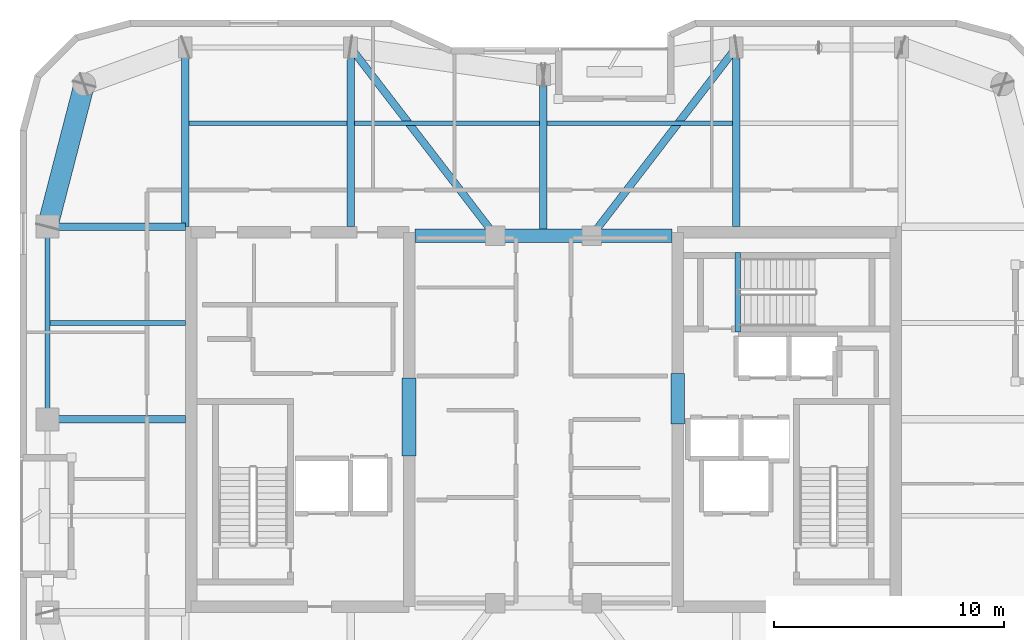
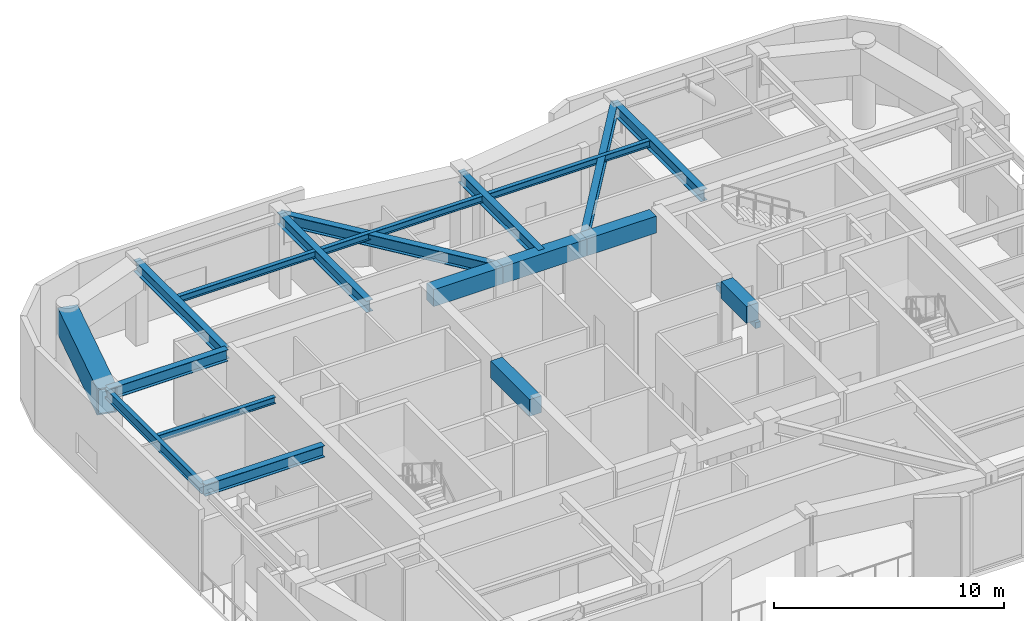
# One storey, part 3 of 14: 20 beams.
"""IFC4 building model written with IfcOpenShell, lengths in metres."""

import ifcopenshell
import ifcopenshell.guid

model = None  # the IFC model being written
_history = None  # IfcOwnerHistory: only IFC2X3 demands one
_inside = {}  # id of a spatial element -> (the spatial element, [elements in it])
_under = {}  # id of a project, library or spatial element -> (it, [spatial elements below it])
_declared = {}  # id of a project -> (the project, [libraries it declares])
_typed = {}  # id of a type object -> (the type object, [elements of that type])
_made_of = {}  # id of a material, layer set ... -> (it, [elements and type objects made of it])


def new_model(schema):
    """Start an empty IFC model of exactly this schema.

    Asked for "IFC4X3", IfcOpenShell would pick the latest addendum, in which some entities
    have other attributes; the version numbers below select the first issue.
    IFC2X3 requires an IfcOwnerHistory on every rooted entity: one is made here for all.
    """
    global model, _history
    if schema == "IFC4X3":
        model = ifcopenshell.file(schema_version=(4, 3, 0, 0))
    else:
        model = ifcopenshell.file(schema=schema)
    _inside.clear()
    _under.clear()
    _declared.clear()
    _typed.clear()
    _made_of.clear()
    _history = None
    if model.schema == "IFC2X3":
        org = make("IfcOrganization", Name="unknown")
        user = make(
            "IfcPersonAndOrganization",
            ThePerson=make("IfcPerson", FamilyName="unknown"),
            TheOrganization=org,
        )
        app = make(
            "IfcApplication",
            ApplicationDeveloper=org,
            Version="unknown",
            ApplicationFullName="unknown",
            ApplicationIdentifier="unknown",
        )
        _history = make(
            "IfcOwnerHistory",
            OwningUser=user,
            OwningApplication=app,
            ChangeAction="ADDED",
            CreationDate=0,
        )
    return model


def make(cls, **values):
    """One entity of the class cls with the attributes given. An attribute that is None is left unset."""
    return model.create_entity(
        cls, **{name: value for name, value in values.items() if value is not None}
    )


def rooted(cls, **values):
    """An entity with a GlobalId (a new one), such as an element, a storey or a relation."""
    return make(cls, GlobalId=ifcopenshell.guid.new(), OwnerHistory=_history, **values)


def si_unit(unit_type, name, prefix=None):
    """IfcSIUnit, for example si_unit("LENGTHUNIT", "METRE", prefix="MILLI")."""
    return make("IfcSIUnit", UnitType=unit_type, Prefix=prefix, Name=name)


def assignment(units):
    """IfcUnitAssignment: the units of a project."""
    return None if units is None else make("IfcUnitAssignment", Units=units)


def point(xyz):
    """IfcCartesianPoint."""
    return None if xyz is None else make("IfcCartesianPoint", Coordinates=xyz)


def direction(xyz):
    """IfcDirection."""
    return None if xyz is None else make("IfcDirection", DirectionRatios=xyz)


def frame(location, z_axis=None, x_axis=None):
    """IfcAxis2Placement3D, a coordinate frame: its origin and axes. An axis left out is left unset."""
    return make(
        "IfcAxis2Placement3D",
        Location=point(location),
        Axis=direction(z_axis),
        RefDirection=direction(x_axis),
    )


def frame_2d(location, x_axis=None):
    """IfcAxis2Placement2D, a coordinate frame in the plane: its origin and x axis."""
    return make(
        "IfcAxis2Placement2D", Location=point(location), RefDirection=direction(x_axis)
    )


def origin():
    """The frame at (0, 0, 0) with its axes left unset."""
    return frame((0.0, 0.0, 0.0))


def origin_2d():
    """The frame at (0, 0) in the plane with its x axis left unset."""
    return frame_2d((0.0, 0.0))


def place(relative_to, where):
    """IfcLocalPlacement: puts the frame where relative to a parent placement (None: the world)."""
    return make(
        "IfcLocalPlacement", PlacementRelTo=relative_to, RelativePlacement=where
    )


def context(
    kind, dimensions, precision=None, world=None, true_north=None, identifier=None
):
    """IfcGeometricRepresentationContext, for example the 3D "Model" context."""
    return make(
        "IfcGeometricRepresentationContext",
        ContextIdentifier=identifier,
        ContextType=kind,
        CoordinateSpaceDimension=dimensions,
        Precision=precision,
        WorldCoordinateSystem=world,
        TrueNorth=true_north,
    )


def subcontext(parent, identifier, kind, view, scale=None):
    """IfcGeometricRepresentationSubContext, for example "Body" below "Model"."""
    return make(
        "IfcGeometricRepresentationSubContext",
        ContextIdentifier=identifier,
        ContextType=kind,
        ParentContext=parent,
        TargetScale=scale,
        TargetView=view,
    )


def project(units=None, contexts=None):
    """IfcProject with its units and contexts."""
    return rooted(
        "IfcProject",
        Name="project",
        RepresentationContexts=contexts,
        UnitsInContext=assignment(units),
    )


def spatial(cls, under=None, at=None, **own):
    """A site, building, storey or space (cls), placed at a placement, below another one or the project."""
    s = rooted(cls, ObjectPlacement=at, **own)
    if under is not None:
        _under.setdefault(under.id(), (under, []))[1].append(s)
    return s


def profile(cls, at=None, kind="AREA", **sizes):
    """A parametric profile (cls). Its sizes go by their IFC names, for example OverallWidth=200.0."""
    return make(cls, ProfileType=kind, Position=at, **sizes)


def rectangle(**sizes):
    """IfcRectangleProfileDef."""
    return profile("IfcRectangleProfileDef", **sizes)


def hollow_rectangle(**sizes):
    """IfcRectangleHollowProfileDef."""
    return profile("IfcRectangleHollowProfileDef", **sizes)


def i_section(**sizes):
    """IfcIShapeProfileDef."""
    return profile("IfcIShapeProfileDef", **sizes)


def extrude(swept, where, along, depth):
    """IfcExtrudedAreaSolid: the profile swept, set in the frame where, extruded along a direction by depth."""
    return make(
        "IfcExtrudedAreaSolid",
        SweptArea=swept,
        Position=where,
        ExtrudedDirection=direction(along),
        Depth=depth,
    )


def shape(context_of_items, identifier, shape_type, items):
    """IfcShapeRepresentation: the items that make up one representation, for example the "Body"."""
    return make(
        "IfcShapeRepresentation",
        ContextOfItems=context_of_items,
        RepresentationIdentifier=identifier,
        RepresentationType=shape_type,
        Items=items,
    )


def material(Name=None, Category=None):
    """IfcMaterial."""
    return make("IfcMaterial", Name=Name, Category=Category)


def material_profile(
    of_material, cross_section, Name=None, Category=None, Priority=None
):
    """IfcMaterialProfile: a cross section and its material."""
    return make(
        "IfcMaterialProfile",
        Name=Name,
        Material=of_material,
        Profile=cross_section,
        Priority=Priority,
        Category=Category,
    )


def profile_set(profiles, Name=None, composite=None):
    """IfcMaterialProfileSet."""
    return make(
        "IfcMaterialProfileSet",
        Name=Name,
        MaterialProfiles=profiles,
        CompositeProfile=composite,
    )


def made_of(thing, what):
    """Note that an element or type object is made of a material, layer set ...; save() writes the relation."""
    if what is not None:
        _made_of.setdefault(what.id(), (what, []))[1].append(thing)
    return thing


def type_object(cls, material=None, **own):
    """A type object (cls), such as IfcWallType, which elements share."""
    return made_of(rooted(cls, **own), material)


def element(
    cls,
    number,
    at=None,
    inside=None,
    cuts=None,
    type_object=None,
    material=None,
    context=None,
    identifier="Body",
    shape_type=None,
    held_by="IfcProductDefinitionShape",
    body=None,
    shapes=None,
    **own,
):
    """One element of the class cls, such as IfcWall. Its Tag is "e" and its number.

    at: its placement. inside: the storey or other place that contains it. cuts: it is an
    opening in that element (IfcRelVoidsElement). A single representation is given by context,
    identifier, shape_type and body (its items); several are given by shapes. held_by: the class
    of the entity that holds the representations. save() writes the other relations.
    """
    e = rooted(cls, Tag="e%d" % number, ObjectPlacement=at, **own)
    if body is not None:
        shapes = [shape(context, identifier, shape_type, body)]
    if shapes is not None:
        e.Representation = make(held_by, Representations=shapes)
    if inside is not None:
        _inside.setdefault(inside.id(), (inside, []))[1].append(e)
    if cuts is not None:
        rooted(
            "IfcRelVoidsElement", RelatingBuildingElement=cuts, RelatedOpeningElement=e
        )
    if type_object is not None:
        _typed.setdefault(type_object.id(), (type_object, []))[1].append(e)
    return made_of(e, material)


def aggregate(whole, parts):
    """IfcRelAggregates: a whole, such as a stair, and the parts it consists of."""
    return rooted("IfcRelAggregates", RelatingObject=whole, RelatedObjects=parts)


def save(model, path):
    """Write the relations noted so far, then the file.

    IfcRelAggregates (storeys below a building ...), IfcRelContainedInSpatialStructure (elements
    in a storey), IfcRelDefinesByType, IfcRelAssociatesMaterial and IfcRelDeclares: one each for
    every whole, place, type object, material and project.
    """
    for whole, parts in _under.values():
        aggregate(whole, parts)
    for where, things in _inside.values():
        rooted(
            "IfcRelContainedInSpatialStructure",
            RelatedElements=things,
            RelatingStructure=where,
        )
    for kind, things in _typed.values():
        rooted("IfcRelDefinesByType", RelatedObjects=things, RelatingType=kind)
    for what, things in _made_of.values():
        rooted("IfcRelAssociatesMaterial", RelatedObjects=things, RelatingMaterial=what)
    for by, libraries in _declared.values():
        rooted("IfcRelDeclares", RelatingContext=by, RelatedDefinitions=libraries)
    model.write(path)


model = new_model("IFC4")

# Units and contexts
model_context = context("Model", 3, precision=1e-05, world=origin(), true_north=direction((0.0, 1.0)))
body_context = subcontext(model_context, "Body", "Model", "MODEL_VIEW")
ifc_project = project(units=[si_unit("LENGTHUNIT", "METRE"), si_unit("AREAUNIT", "SQUARE_METRE"), si_unit("VOLUMEUNIT", "CUBIC_METRE"), si_unit("PLANEANGLEUNIT", "RADIAN"), si_unit("MASSUNIT", "GRAM", prefix="KILO")], contexts=[model_context])

# Site, building, storey
site_placement = place(None, origin())
site = spatial("IfcSite", under=ifc_project, at=site_placement, CompositionType="ELEMENT")
building_placement = place(site_placement, origin())
building = spatial("IfcBuilding", under=site, at=building_placement, Name="Kiyonajd Concourse Tower", CompositionType="ELEMENT")
storey_placement = place(building_placement, frame((0.0, 0.0, 294.0)))
storey = spatial("IfcBuildingStorey", under=building, at=storey_placement, Name="L74", CompositionType="ELEMENT", Elevation=294.0)

# Beams
ifc_material_1 = material(Name="Concrete C60/75", Category="concrete")
ifc_material_profile_1 = material_profile(ifc_material_1, rectangle(XDim=0.60009765625, YDim=0.89990234375, at=origin_2d()), Name="RCBM-600x900")
ifc_profile_set_1 = profile_set([ifc_material_profile_1], Name="Concrete C60/75")
beam_type_1 = type_object("IfcBeamType", Name="BM-COUP-900", PredefinedType="LINTEL", material=ifc_profile_set_1)
beam_1_placement = place(storey_placement, frame((42.39990234375, 44.0, 3.830078125), z_axis=(1.0, 0.0, 0.0), x_axis=(0.0, 1.0, 0.0)))
element("IfcBeam", 1, at=beam_1_placement, inside=storey, type_object=beam_type_1, Name="L74 Core Coupling Beam N1", PredefinedType="LINTEL", context=body_context, shape_type="SweptSolid", body=[
    extrude(rectangle(XDim=0.60009765625, YDim=0.89990234375, at=origin_2d()), origin(), (0.0, 0.0, 1.0), 3.5),
])
beam_2_placement = place(storey_placement, frame((45.89990234375, 44.0, 3.830078125), z_axis=(1.0, 0.0, 0.0), x_axis=(0.0, 1.0, 0.0)))
element("IfcBeam", 2, at=beam_2_placement, inside=storey, type_object=beam_type_1, Name="L74 Core Coupling Beam N2", PredefinedType="LINTEL", context=body_context, shape_type="SweptSolid", body=[
    extrude(rectangle(XDim=0.60009765625, YDim=0.89990234375, at=origin_2d()), origin(), (0.0, 0.0, 1.0), 4.2001953125),
])
beam_3_placement = place(storey_placement, frame((50.10009765625, 44.0, 3.830078125), z_axis=(1.0, 0.0, 0.0), x_axis=(0.0, 1.0, 0.0)))
element("IfcBeam", 3, at=beam_3_placement, inside=storey, type_object=beam_type_1, Name="L74 Core Coupling Beam N3", PredefinedType="LINTEL", context=body_context, shape_type="SweptSolid", body=[
    extrude(rectangle(XDim=0.60009765625, YDim=0.89990234375, at=origin_2d()), origin(), (0.0, 0.0, 1.0), 3.5),
])
beam_4_placement = place(storey_placement, frame((42.14990234375, 34.39990234375, 3.830078125), z_axis=(0.0, 1.0, 0.0), x_axis=(-1.0, 0.0, 0.0)))
element("IfcBeam", 4, at=beam_4_placement, inside=storey, type_object=beam_type_1, Name="L74 West Core Throat Coupling Lintel", PredefinedType="LINTEL", context=body_context, shape_type="SweptSolid", body=[
    extrude(rectangle(XDim=0.60009765625, YDim=0.89990234375, at=origin_2d()), origin(), (0.0, 0.0, 1.0), 3.400146484375),
])
beam_5_placement = place(storey_placement, frame((53.85009765625, 35.800048828125, 3.830078125), z_axis=(0.0, 1.0, 0.0), x_axis=(-1.0, 0.0, 0.0)))
element("IfcBeam", 5, at=beam_5_placement, inside=storey, type_object=beam_type_1, Name="L74 East Core Throat Coupling Lintel", PredefinedType="LINTEL", context=body_context, shape_type="SweptSolid", body=[
    extrude(rectangle(XDim=0.60009765625, YDim=0.89990234375, at=origin_2d()), origin(), (0.0, 0.0, 1.0), 2.199951171875),
])
ifc_material_2 = material(Name="Steel ASTM A992 Grade 50", Category="steel")
ifc_material_profile_2 = material_profile(ifc_material_2, i_section(OverallWidth=0.205078125, OverallDepth=0.35400390625, WebThickness=0.009521484375, FlangeThickness=0.016845703125, at=origin_2d()), Name="W360X79")
ifc_profile_set_2 = profile_set([ifc_material_profile_2], Name="Steel ASTM A992 Grade 50")
beam_type_2 = type_object("IfcBeamType", Name="BM-JST-360", PredefinedType="JOIST", material=ifc_profile_set_2)
beam_6_placement = place(storey_placement, frame((32.56201171875, 48.89990234375, 4.10302734375), z_axis=(1.0, 0.0, 0.0), x_axis=(0.0, 1.0, 0.0)))
element("IfcBeam", 6, at=beam_6_placement, inside=storey, type_object=beam_type_2, Name="L74 Secondary Floor Joist", PredefinedType="JOIST", context=body_context, shape_type="SweptSolid", body=[
    extrude(i_section(OverallWidth=0.205078125, OverallDepth=0.35400390625, WebThickness=0.009521484375, FlangeThickness=0.016845703125, at=origin_2d()), origin(), (0.0, 0.0, 1.0), 6.8759765625),
])
for number, where, z_axis, x_axis, name in (
    (7, (39.761962890625, 48.89990234375, 4.10302734375), (1.0, 0.0, 0.0), (0.0, 1.0, 0.0), "L74 Secondary Floor Joist"),
    (8, (48.162109375, 48.89990234375, 4.10302734375), (1.0, 0.0, 0.0), (0.0, 1.0, 0.0), "L74 Secondary Floor Joist"),
):
    element("IfcBeam", number, at=place(storey_placement, frame(where, z_axis=z_axis, x_axis=x_axis)), inside=storey, type_object=beam_type_2, Name=name, PredefinedType="JOIST", context=body_context, shape_type="SweptSolid", body=[
        extrude(i_section(OverallWidth=0.205078125, OverallDepth=0.35400390625, WebThickness=0.009521484375, FlangeThickness=0.016845703125, at=origin_2d()), origin(), (0.0, 0.0, 1.0), 8.075927734375),
    ])
beam_7_placement = place(storey_placement, frame((26.505615234375, 40.199951171875, 4.10302734375), z_axis=(1.0, 0.0, 0.0), x_axis=(0.0, 1.0, 0.0)))
element("IfcBeam", 9, at=beam_7_placement, inside=storey, type_object=beam_type_2, Name="L74 West Secondary Floor Joist", PredefinedType="JOIST", context=body_context, shape_type="SweptSolid", body=[
    extrude(i_section(OverallWidth=0.205078125, OverallDepth=0.35400390625, WebThickness=0.009521484375, FlangeThickness=0.016845703125, at=origin_2d()), origin(), (0.0, 0.0, 1.0), 5.894287109375),
])
ifc_material_3 = material(Name="Concrete C50/60", Category="concrete")
ifc_material_profile_3 = material_profile(ifc_material_3, rectangle(XDim=0.239990234375, YDim=0.320068359375, at=origin_2d()), Name="RCBM-240x320")
ifc_profile_set_3 = profile_set([ifc_material_profile_3], Name="Concrete C50/60")
beam_type_3 = type_object("IfcBeamType", Name="BM-LNT-250", PredefinedType="LINTEL", material=ifc_profile_set_3)
beam_8_placement = place(storey_placement, frame((56.4599609375, 39.820068359375, -0.159912109375), z_axis=(0.0, 1.0, 0.0), x_axis=(-1.0, 0.0, 0.0)))
element("IfcBeam", 10, at=beam_8_placement, inside=storey, type_object=beam_type_3, Name="L74 Stair ST3 Threshold Support Beam", PredefinedType="LINTEL", context=body_context, shape_type="SweptSolid", body=[
    extrude(rectangle(XDim=0.239990234375, YDim=0.320068359375, at=origin_2d()), origin(), (0.0, 0.0, 1.0), 3.4599609375),
])
ifc_material_profile_4 = material_profile(ifc_material_2, i_section(OverallWidth=0.2109375, OverallDepth=0.5390625, WebThickness=0.01171875, FlangeThickness=0.018798828125, at=origin_2d()), Name="W530X109")
ifc_profile_set_4 = profile_set([ifc_material_profile_4], Name="Steel ASTM A992 Grade 50")
beam_type_4 = type_object("IfcBeamType", Name="BM-SPAN-530B", PredefinedType="SPANDREL", material=ifc_profile_set_4)
beam_9_placement = place(storey_placement, frame((26.39990234375, 44.39990234375, 4.010498046875), z_axis=(0.0, -1.0, 0.0), x_axis=(1.0, 0.0, 0.0)))
element("IfcBeam", 11, at=beam_9_placement, inside=storey, type_object=beam_type_4, Name="L74 Perimeter Bundled Tube Spandrel", PredefinedType="SPANDREL", context=body_context, shape_type="SweptSolid", body=[
    extrude(i_section(OverallWidth=0.2109375, OverallDepth=0.5390625, WebThickness=0.01171875, FlangeThickness=0.018798828125, at=origin_2d()), origin(), (0.0, 0.0, 1.0), 8.39990234375),
])
ifc_material_profile_5 = material_profile(ifc_material_2, i_section(OverallWidth=0.326904296875, OverallDepth=0.6220703125, WebThickness=0.015380859375, FlangeThickness=0.0244140625, at=origin_2d()), Name="W610X195")
ifc_profile_set_5 = profile_set([ifc_material_profile_5], Name="Steel ASTM A992 Grade 50")
beam_type_5 = type_object("IfcBeamType", Name="BM-TWR-610A", PredefinedType="BEAM", material=ifc_profile_set_5)
for number, where, z_axis, x_axis, name in (
    (12, (39.60009765625, 52.199951171875, 3.968994140625), (0.609233709922, -0.792990722956, 0.0), (0.792990722956, 0.609233709922, 0.0), "L74 Core Tie Girder"),
    (13, (50.10009765625, 44.0, 3.968994140625), (0.609233709922, 0.792990722956, 0.0), (-0.792990722956, 0.609233709922, 0.0), "L74 Core Tie Girder"),
):
    element("IfcBeam", number, at=place(storey_placement, frame(where, z_axis=z_axis, x_axis=x_axis)), inside=storey, type_object=beam_type_5, Name=name, PredefinedType="BEAM", context=body_context, shape_type="SweptSolid", body=[
        extrude(i_section(OverallWidth=0.326904296875, OverallDepth=0.6220703125, WebThickness=0.015380859375, FlangeThickness=0.0244140625, at=origin_2d()), origin(), (0.0, 0.0, 1.0), 10.340576171875),
    ])
ifc_material_profile_6 = material_profile(ifc_material_2, i_section(OverallWidth=0.323974609375, OverallDepth=0.611083984375, WebThickness=0.0126953125, FlangeThickness=0.01904296875, at=origin_2d()), Name="W610X155")
ifc_profile_set_6 = profile_set([ifc_material_profile_6], Name="Steel ASTM A992 Grade 50")
beam_type_6 = type_object("IfcBeamType", Name="BM-TWR-610B", PredefinedType="BEAM", material=ifc_profile_set_6)
for number, where, z_axis, x_axis, name in (
    (14, (32.39990234375, 44.39990234375, 3.974609375), (0.0, 1.0, 0.0), (-1.0, 0.0, 0.0), "L74 North Lease Girder"),
    (15, (39.60009765625, 44.39990234375, 3.974609375), (0.0, 1.0, 0.0), (-1.0, 0.0, 0.0), "L74 North Lease Girder"),
    (16, (56.39990234375, 44.39990234375, 3.974609375), (0.0, 1.0, 0.0), (-1.0, 0.0, 0.0), "L74 North Lease Girder"),
):
    element("IfcBeam", number, at=place(storey_placement, frame(where, z_axis=z_axis, x_axis=x_axis)), inside=storey, type_object=beam_type_6, Name=name, PredefinedType="BEAM", context=body_context, shape_type="SweptSolid", body=[
        extrude(i_section(OverallWidth=0.323974609375, OverallDepth=0.611083984375, WebThickness=0.0126953125, FlangeThickness=0.01904296875, at=origin_2d()), origin(), (0.0, 0.0, 1.0), 7.800048828125),
    ])
beam_10_placement = place(storey_placement, frame((48.0, 44.0, 3.974609375), z_axis=(0.0, 1.0, 0.0), x_axis=(-1.0, 0.0, 0.0)))
element("IfcBeam", 17, at=beam_10_placement, inside=storey, type_object=beam_type_6, Name="L74 North Ribbon Girder", PredefinedType="BEAM", context=body_context, shape_type="SweptSolid", body=[
    extrude(i_section(OverallWidth=0.323974609375, OverallDepth=0.611083984375, WebThickness=0.0126953125, FlangeThickness=0.01904296875, at=origin_2d()), origin(), (0.0, 0.0, 1.0), 7.0),
])
for number, where, z_axis, x_axis, name in (
    (18, (26.39990234375, 36.0, 3.974609375), (1.0, 0.0, 0.0), (0.0, 1.0, 0.0), "L74 West Lease Girder"),
    (19, (26.39990234375, 44.39990234375, 3.974609375), (1.0, 0.0, 0.0), (0.0, 1.0, 0.0), "L74 West Lease Girder"),
):
    element("IfcBeam", number, at=place(storey_placement, frame(where, z_axis=z_axis, x_axis=x_axis)), inside=storey, type_object=beam_type_6, Name=name, PredefinedType="BEAM", context=body_context, shape_type="SweptSolid", body=[
        extrude(i_section(OverallWidth=0.323974609375, OverallDepth=0.611083984375, WebThickness=0.0126953125, FlangeThickness=0.01904296875, at=origin_2d()), origin(), (0.0, 0.0, 1.0), 6.0),
    ])
ifc_material_4 = material(Name="Steel ASTM A572 Grade 50", Category="steel")
ifc_material_profile_7 = material_profile(ifc_material_4, hollow_rectangle(XDim=0.89990234375, YDim=1.39990234375, WallThickness=0.070068359375, at=origin_2d()), Name="BOX-1400x900x70")
ifc_profile_set_7 = profile_set([ifc_material_profile_7], Name="Steel ASTM A572 Grade 50")
beam_type_7 = type_object("IfcBeamType", Name="BM-XFER-1400", PredefinedType="BEAM", material=ifc_profile_set_7)
beam_11_placement = place(storey_placement, frame((28.0, 50.60009765625, 3.580078125), z_axis=(-0.249884937687, -0.968275538221, 0.0), x_axis=(0.968275538221, -0.249884937687, 0.0)))
element("IfcBeam", 20, at=beam_11_placement, inside=storey, type_object=beam_type_7, Name="L74 Perimeter Bundled Tube Spandrel", PredefinedType="BEAM", context=body_context, shape_type="SweptSolid", body=[
    extrude(hollow_rectangle(XDim=0.89990234375, YDim=1.39990234375, WallThickness=0.070068359375, at=origin_2d()), origin(), (0.0, 0.0, 1.0), 6.4033203125),
])

save(model, "model.ifc")
